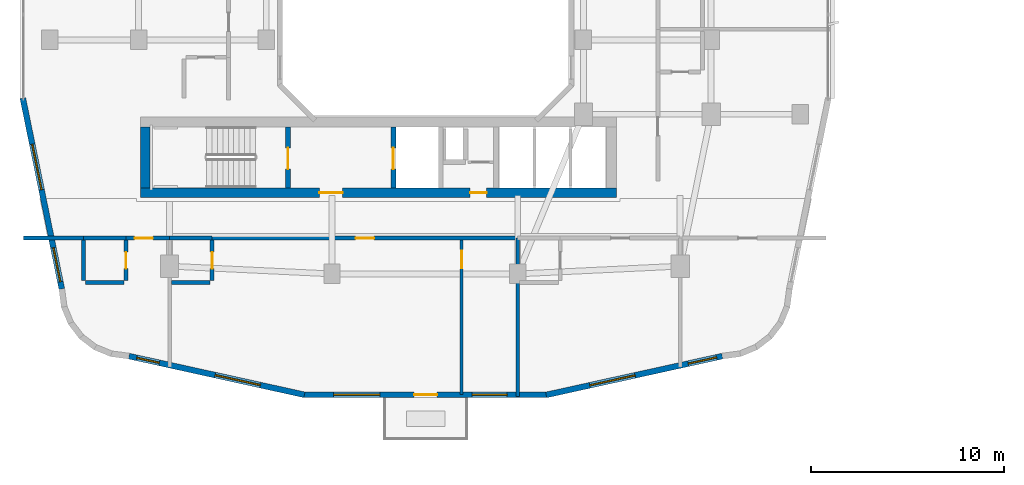
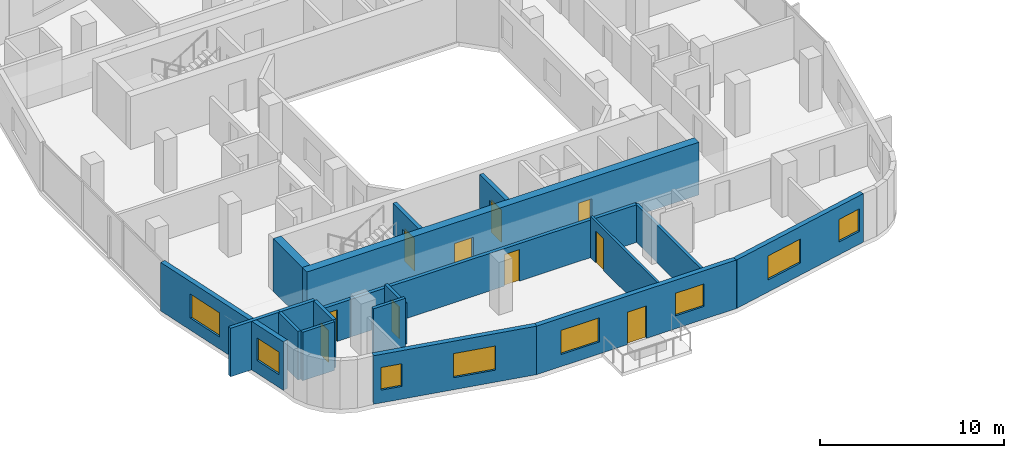
# One storey, part 9 of 24: 20 walls, 10 doors, 8 windows, 18 openings.
"""IFC4 building model written with IfcOpenShell, lengths in metres."""

from ifc_helpers import new_model, si_unit, derived_unit, direction, frame, frame_2d, origin, place, context, subcontext, project, spatial, rectangle, extrude, material, layer, layer_set, type_object, element, fill, save


model = new_model("IFC4")

# Units and contexts
model_context = context("Model", 3, precision=1e-05, world=origin(), true_north=direction((0.0, 1.0)))
body_context = subcontext(model_context, "Body", "Model", "MODEL_VIEW")
ifc_project = project(units=[si_unit("LENGTHUNIT", "METRE"), si_unit("AREAUNIT", "SQUARE_METRE"), si_unit("VOLUMEUNIT", "CUBIC_METRE"), si_unit("PLANEANGLEUNIT", "RADIAN"), si_unit("MASSUNIT", "GRAM", prefix="KILO"), derived_unit("THERMALTRANSMITTANCEUNIT", [(si_unit("POWERUNIT", "WATT"), 1), (si_unit("LENGTHUNIT", "METRE"), -2), (si_unit("THERMODYNAMICTEMPERATUREUNIT", "KELVIN"), -1)])], contexts=[model_context])

# Site, building, storey
site_placement = place(None, origin())
site = spatial("IfcSite", under=ifc_project, at=site_placement, CompositionType="ELEMENT")
building_placement = place(site_placement, origin())
building = spatial("IfcBuilding", under=site, at=building_placement, Name="Kivonza Crest Hotel", CompositionType="ELEMENT")
storey_placement = place(building_placement, frame((0.0, 0.0, 80.0)))
storey = spatial("IfcBuildingStorey", under=building, at=storey_placement, Name="L21", CompositionType="ELEMENT", Elevation=80.0)

# Walls
ifc_material_1 = material(Name="High-density acoustic masonry inter-tenancy wall", Category="masonry")
ifc_layer_1 = layer(ifc_material_1, 0.179931640625)
ifc_layer_set_1 = layer_set([ifc_layer_1], Name="High-density acoustic masonry inter-tenancy wall")
wall_type_1 = type_object("IfcWallType", Name="WL-ACOU-180", PredefinedType="SOLIDWALL", material=ifc_layer_set_1)
wall_1_placement = place(storey_placement, frame((25.800048828125, 3.06005859375, 0.0), z_axis=(0.0, 0.0, 1.0), x_axis=(0.0, 1.0, 0.0)))
element("IfcWall", 1, at=wall_1_placement, inside=storey, type_object=wall_type_1, Name="L21 interior partition WA-L21-T1S-DIV2", PredefinedType="SOLIDWALL", context=body_context, shape_type="SweptSolid", body=[
    extrude(rectangle(XDim=8.18994140625, YDim=0.179931640625, at=frame_2d((4.094970703125, 0.0))), origin(), (0.0, 0.0, 1.0), 2.4951171875),
])
ifc_material_2 = material(Name="Autoclaved aerated concrete blockwork", Category="masonry")
ifc_layer_2 = layer(ifc_material_2, 0.219970703125)
ifc_layer_set_2 = layer_set([ifc_layer_2], Name="Autoclaved aerated concrete blockwork")
wall_type_2 = type_object("IfcWallType", Name="WL-ACOU-220", PredefinedType="SOLIDWALL", material=ifc_layer_set_2)
wall_2_placement = place(storey_placement, frame((0.239990234375, 11.25, 0.0), z_axis=(0.0, 0.0, 1.0), x_axis=(1.0, 0.0, 0.0)))
element("IfcWall", 2, at=wall_2_placement, inside=storey, type_object=wall_type_2, Name="L21 interior partition WA-L21-S03-XCORR", PredefinedType="SOLIDWALL", context=body_context, shape_type="SweptSolid", body=[
    extrude(rectangle(XDim=3.110107421875, YDim=0.219970703125, at=frame_2d((1.55517578125, 0.0))), origin(), (0.0, 0.0, 1.0), 3.219970703125),
])
wall_3_placement = place(storey_placement, frame((3.35009765625, 11.25, 0.0), z_axis=(0.0, 0.0, 1.0), x_axis=(1.0, 0.0, 0.0)))
element("IfcWall", 3, at=wall_3_placement, inside=storey, type_object=wall_type_2, Name="L21 interior partition WA-L21-S03-BCORR", PredefinedType="SOLIDWALL", context=body_context, shape_type="SweptSolid", body=[
    extrude(rectangle(XDim=2.199951171875, YDim=0.219970703125, at=frame_2d((1.10009765625, 0.0))), origin(), (0.0, 0.0, 1.0), 3.219970703125),
])

# Wall, opening, door
wall_4_placement = place(storey_placement, frame((5.550048828125, 11.25, 0.0), z_axis=(0.0, 0.0, 1.0), x_axis=(1.0, 0.0, 0.0)))
wall_4 = element("IfcWall", 4, at=wall_4_placement, inside=storey, type_object=wall_type_2, Name="L21 interior partition WA-L21-S03-MCORR", PredefinedType="SOLIDWALL", context=body_context, shape_type="SweptSolid", body=[
    extrude(rectangle(XDim=2.25, YDim=0.219970703125, at=frame_2d((1.125, 0.0))), origin(), (0.0, 0.0, 1.0), 2.4951171875),
])
opening_1_placement = place(wall_4_placement, frame((0.43994140625, 0.0, 0.0)))
opening_1 = element("IfcOpeningElement", 5, at=opening_1_placement, cuts=wall_4, Name="Opening DU-60", PredefinedType="OPENING", context=body_context, shape_type="SweptSolid", body=[
    extrude(rectangle(XDim=0.949951171875, YDim=2.10009765625, at=frame_2d((0.47509765625, 1.050048828125))), frame((0.0, 0.1201171875, 0.0), z_axis=(0.0, -1.0, 0.0), x_axis=(1.0, 0.0, 0.0)), (0.0, 0.0, 1.0), 0.239990234375),
])
ifc_material_3 = material(Name="Hardwood timber oak", Category="wood")
door_type_1 = type_object("IfcDoorType", Name="DR-UNIT-950", OperationType="NOTDEFINED", PredefinedType="DOOR", material=ifc_material_3)
door_1_placement = place(opening_1_placement, frame((0.949951171875, 0.0, 0.0), z_axis=(0.0, 0.0, 1.0), x_axis=(-1.0, 0.0, 0.0)))
door_1 = element("IfcDoor", 6, at=door_1_placement, inside=storey, type_object=door_type_1, Name="L21 S03 guest unit entrance fire door", OperationType="SINGLE_SWING_LEFT", OverallHeight=2.10009765625, OverallWidth=0.949951171875, PredefinedType="DOOR", context=body_context, shape_type="SweptSolid", body=[
    extrude(rectangle(XDim=0.949951171875, YDim=2.10009765625, at=frame_2d((0.47509765625, 1.050048828125))), frame((0.0, 0.02490234375, 0.0), z_axis=(0.0, -1.0, 0.0), x_axis=(1.0, 0.0, 0.0)), (0.0, 0.0, 1.0), 0.050048828125),
])
fill(opening_1, door_1)

# Wall
wall_5_placement = place(storey_placement, frame((7.800048828125, 11.25, 0.0), z_axis=(0.0, 0.0, 1.0), x_axis=(1.0, 0.0, 0.0)))
element("IfcWall", 7, at=wall_5_placement, inside=storey, type_object=wall_type_2, Name="L21 interior partition WA-L21-S04-BCORR", PredefinedType="SOLIDWALL", context=body_context, shape_type="SweptSolid", body=[
    extrude(rectangle(XDim=2.199951171875, YDim=0.219970703125, at=frame_2d((1.10009765625, 0.0))), origin(), (0.0, 0.0, 1.0), 2.4951171875),
])

# Wall, opening, door
wall_6_placement = place(storey_placement, frame((10.0, 11.25, 0.0), z_axis=(0.0, 0.0, 1.0), x_axis=(1.0, 0.0, 0.0)))
wall_6 = element("IfcWall", 8, at=wall_6_placement, inside=storey, type_object=wall_type_2, Name="L21 interior partition WA-L21-S04-MCORR", PredefinedType="SOLIDWALL", context=body_context, shape_type="SweptSolid", body=[
    extrude(rectangle(XDim=15.800048828125, YDim=0.219970703125, at=frame_2d((7.89990234375, 0.0))), origin(), (0.0, 0.0, 1.0), 2.4951171875),
])
opening_2_placement = place(wall_6_placement, frame((7.425048828125, 0.0, 0.0)))
opening_2 = element("IfcOpeningElement", 9, at=opening_2_placement, cuts=wall_6, Name="Opening DU-60", PredefinedType="OPENING", context=body_context, shape_type="SweptSolid", body=[
    extrude(rectangle(XDim=0.949951171875, YDim=2.10009765625, at=frame_2d((0.47509765625, 1.050048828125))), frame((0.0, 0.1201171875, 0.0), z_axis=(0.0, -1.0, 0.0), x_axis=(1.0, 0.0, 0.0)), (0.0, 0.0, 1.0), 0.239990234375),
])
door_2_placement = place(opening_2_placement, frame((0.949951171875, 0.0, 0.0), z_axis=(0.0, 0.0, 1.0), x_axis=(-1.0, 0.0, 0.0)))
door_2 = element("IfcDoor", 10, at=door_2_placement, inside=storey, type_object=door_type_1, Name="L21 S04 guest unit entrance fire door", OperationType="SINGLE_SWING_RIGHT", OverallHeight=2.10009765625, OverallWidth=0.949951171875, PredefinedType="DOOR", context=body_context, shape_type="SweptSolid", body=[
    extrude(rectangle(XDim=0.949951171875, YDim=2.10009765625, at=frame_2d((0.47509765625, 1.050048828125))), frame((0.0, 0.02490234375, 0.0), z_axis=(0.0, -1.0, 0.0), x_axis=(1.0, 0.0, 0.0)), (0.0, 0.0, 1.0), 0.050048828125),
])
fill(opening_2, door_2)

# Wall, openings, doors
ifc_material_4 = material(Name="Concrete C60/75", Category="concrete")
ifc_layer_3 = layer(ifc_material_4, 0.5)
ifc_layer_set_3 = layer_set([ifc_layer_3], Name="Concrete C60/75")
wall_type_3 = type_object("IfcWallType", Name="WL-CORE-500", PredefinedType="SHEAR", material=ifc_layer_set_3)
wall_7_placement = place(storey_placement, frame((6.300048828125, 13.590087890625, 0.0), z_axis=(0.0, 0.0, 1.0), x_axis=(1.0, 0.0, 0.0)))
wall_7 = element("IfcWall", 11, at=wall_7_placement, inside=storey, type_object=wall_type_3, Name="Core wall T1-S South L21", PredefinedType="SHEAR", context=body_context, shape_type="SweptSolid", body=[
    extrude(rectangle(XDim=24.599853515625, YDim=0.5, at=frame_2d((12.2998046875, 0.0))), origin(), (0.0, 0.0, 1.0), 3.5),
])
opening_3_placement = place(wall_7_placement, frame((9.25, 0.0, 0.0)))
opening_3 = element("IfcOpeningElement", 12, at=opening_3_placement, cuts=wall_7, Name="Opening DF-60", PredefinedType="OPENING", context=body_context, shape_type="SweptSolid", body=[
    extrude(rectangle(XDim=1.199951171875, YDim=2.14990234375, at=frame_2d((0.60009765625, 1.074951171875))), frame((0.0, 0.260009765625, 0.0), z_axis=(0.0, -1.0, 0.0), x_axis=(1.0, 0.0, 0.0)), (0.0, 0.0, 1.0), 0.52001953125),
])
opening_4_placement = place(wall_7_placement, frame((17.0400390625, 0.0, 0.0)))
opening_4 = element("IfcOpeningElement", 13, at=opening_4_placement, cuts=wall_7, Name="Opening DF-60R", PredefinedType="OPENING", context=body_context, shape_type="SweptSolid", body=[
    extrude(rectangle(XDim=0.85009765625, YDim=2.10009765625, at=frame_2d((0.425048828125, 1.050048828125))), frame((0.0, 0.260009765625, 0.0), z_axis=(0.0, -1.0, 0.0), x_axis=(1.0, 0.0, 0.0)), (0.0, 0.0, 1.0), 0.52001953125),
])
door_type_2 = type_object("IfcDoorType", Name="DR-FD60-1200", OperationType="NOTDEFINED", PredefinedType="DOOR", material=ifc_material_3)
door_3_placement = place(opening_3_placement, frame((1.199951171875, 0.0, 0.0), z_axis=(0.0, 0.0, 1.0), x_axis=(-1.0, 0.0, 0.0)))
door_3 = element("IfcDoor", 14, at=door_3_placement, inside=storey, type_object=door_type_2, Name="L21 T1-S firefighting lobby fire door", OperationType="SINGLE_SWING_LEFT", OverallHeight=2.14990234375, OverallWidth=1.199951171875, PredefinedType="DOOR", context=body_context, shape_type="SweptSolid", body=[
    extrude(rectangle(XDim=1.199951171875, YDim=2.14990234375, at=frame_2d((0.60009765625, 1.074951171875))), frame((0.0, 0.02490234375, 0.0), z_axis=(0.0, -1.0, 0.0), x_axis=(1.0, 0.0, 0.0)), (0.0, 0.0, 1.0), 0.050048828125),
])
fill(opening_3, door_3)
door_type_3 = type_object("IfcDoorType", Name="DR-FD60-850", OperationType="NOTDEFINED", PredefinedType="DOOR", material=ifc_material_3)
door_4_placement = place(opening_4_placement, frame((0.85009765625, 0.0, 0.0), z_axis=(0.0, 0.0, 1.0), x_axis=(-1.0, 0.0, 0.0)))
door_4 = element("IfcDoor", 15, at=door_4_placement, inside=storey, type_object=door_type_3, Name="L21 T1-S core room door", OperationType="SINGLE_SWING_RIGHT", OverallHeight=2.10009765625, OverallWidth=0.85009765625, PredefinedType="DOOR", context=body_context, shape_type="SweptSolid", body=[
    extrude(rectangle(XDim=0.85009765625, YDim=2.10009765625, at=frame_2d((0.425048828125, 1.050048828125))), frame((0.0, 0.02490234375, 0.0), z_axis=(0.0, -1.0, 0.0), x_axis=(1.0, 0.0, 0.0)), (0.0, 0.0, 1.0), 0.050048828125),
])
fill(opening_4, door_4)

# Wall
wall_8_placement = place(storey_placement, frame((6.550048828125, 13.840087890625, 0.0), z_axis=(0.0, 0.0, 1.0), x_axis=(0.0, 1.0, 0.0)))
element("IfcWall", 16, at=wall_8_placement, inside=storey, type_object=wall_type_3, Name="Core wall T1-S West L21", PredefinedType="SHEAR", context=body_context, shape_type="SweptSolid", body=[
    extrude(rectangle(XDim=3.159912109375, YDim=0.5, at=frame_2d((1.580078125, 0.0))), origin(), (0.0, 0.0, 1.0), 3.5),
])

# Wall, openings, windows
ifc_material_5 = material(Name="Precast concrete C40/50", Category="concrete")
ifc_layer_4 = layer(ifc_material_5, 0.300048828125)
ifc_layer_set_4 = layer_set([ifc_layer_4], Name="Precast concrete C40/50")
wall_type_4 = type_object("IfcWallType", Name="WL-EXT-300", PredefinedType="STANDARD", material=ifc_layer_set_4)
wall_9_placement = place(storey_placement, frame((5.7041015625, 5.14794921875, 0.0), z_axis=(0.0, 0.0, 1.0), x_axis=(0.976539545934, -0.215338141596, 0.0)))
wall_9 = element("IfcWall", 17, at=wall_9_placement, inside=storey, type_object=wall_type_4, Name="L21 T1 exterior insulated wall 7", PredefinedType="STANDARD", context=body_context, shape_type="SweptSolid", body=[
    extrude(rectangle(XDim=9.28759765625, YDim=0.300048828125, at=frame_2d((4.643798828125, 0.0))), origin(), (0.0, 0.0, 1.0), 3.219970703125),
])
opening_5_placement = place(wall_9_placement, frame((0.407958984375, 0.0, 0.85009765625)))
opening_5 = element("IfcOpeningElement", 18, at=opening_5_placement, cuts=wall_9, Name="Opening WN-01", PredefinedType="OPENING", context=body_context, shape_type="SweptSolid", body=[
    extrude(rectangle(XDim=1.199951171875, YDim=1.5, at=frame_2d((0.60009765625, 0.75))), frame((0.0, 0.16015625, 0.0), z_axis=(0.0, -1.0, 0.0), x_axis=(1.0, 0.0, 0.0)), (0.0, 0.0, 1.0), 0.320068359375),
])
opening_6_placement = place(wall_9_placement, frame((4.556884765625, 0.0, 0.800048828125)))
opening_6 = element("IfcOpeningElement", 19, at=opening_6_placement, cuts=wall_9, Name="Opening WN-05", PredefinedType="OPENING", context=body_context, shape_type="SweptSolid", body=[
    extrude(rectangle(XDim=2.39990234375, YDim=1.60009765625, at=frame_2d((1.199951171875, 0.800048828125))), frame((0.0, 0.16015625, 0.0), z_axis=(0.0, -1.0, 0.0), x_axis=(1.0, 0.0, 0.0)), (0.0, 0.0, 1.0), 0.320068359375),
])
ifc_material_6 = material(Name="Thermally broken bronze aluminium and low-E double glazing", Category="aluminium")
window_type_1 = type_object("IfcWindowType", Name="WN-120x150", PartitioningType="SINGLE_PANEL", PredefinedType="WINDOW", material=ifc_material_6)
window_1_placement = place(opening_5_placement, origin())
window_1 = element("IfcWindow", 20, at=window_1_placement, inside=storey, type_object=window_type_1, Name="L21 T1 facade window 7 bay 1", OverallHeight=1.5, OverallWidth=1.199951171875, PartitioningType="SINGLE_PANEL", PredefinedType="WINDOW", context=body_context, shape_type="SweptSolid", body=[
    extrude(rectangle(XDim=1.199951171875, YDim=1.5, at=frame_2d((0.60009765625, 0.75))), frame((0.0, 0.030029296875, 0.0), z_axis=(0.0, -1.0, 0.0), x_axis=(1.0, 0.0, 0.0)), (0.0, 0.0, 1.0), 0.06005859375),
])
fill(opening_5, window_1)
window_type_2 = type_object("IfcWindowType", Name="WN-240x160", PartitioningType="TRIPLE_PANEL_VERTICAL", PredefinedType="WINDOW", material=ifc_material_6)
window_2_placement = place(opening_6_placement, origin())
window_2 = element("IfcWindow", 21, at=window_2_placement, inside=storey, type_object=window_type_2, Name="L21 T1 facade window 7 bay 2", OverallHeight=1.60009765625, OverallWidth=2.39990234375, PartitioningType="SINGLE_PANEL", PredefinedType="WINDOW", context=body_context, shape_type="SweptSolid", body=[
    extrude(rectangle(XDim=2.39990234375, YDim=1.60009765625, at=frame_2d((1.199951171875, 0.800048828125))), frame((0.0, 0.030029296875, 0.0), z_axis=(0.0, -1.0, 0.0), x_axis=(1.0, 0.0, 0.0)), (0.0, 0.0, 1.0), 0.06005859375),
])
fill(opening_6, window_2)

# Wall, openings, door, windows
wall_10_placement = place(storey_placement, frame((14.72705078125, 3.14990234375, 0.0), z_axis=(0.0, 0.0, 1.0), x_axis=(1.0, 0.0, 0.0)))
wall_10 = element("IfcWall", 22, at=wall_10_placement, inside=storey, type_object=wall_type_4, Name="L21 T1 exterior insulated wall 8", PredefinedType="STANDARD", context=body_context, shape_type="SweptSolid", body=[
    extrude(rectangle(XDim=12.591064453125, YDim=0.300048828125, at=frame_2d((6.29541015625, 0.0))), origin(), (0.0, 0.0, 1.0), 3.219970703125),
])
opening_7_placement = place(wall_10_placement, frame((5.712890625, 0.0, 0.0)))
opening_7 = element("IfcOpeningElement", 23, at=opening_7_placement, cuts=wall_10, Name="Opening DT-120", PredefinedType="OPENING", context=body_context, shape_type="SweptSolid", body=[
    extrude(rectangle(XDim=1.199951171875, YDim=2.14990234375, at=frame_2d((0.60009765625, 1.074951171875))), frame((0.0, 0.16015625, 0.0), z_axis=(0.0, -1.0, 0.0), x_axis=(1.0, 0.0, 0.0)), (0.0, 0.0, 1.0), 0.320068359375),
])
opening_8_placement = place(wall_10_placement, frame((1.552001953125, 0.0, 0.800048828125)))
opening_8 = element("IfcOpeningElement", 24, at=opening_8_placement, cuts=wall_10, Name="Opening WN-05", PredefinedType="OPENING", context=body_context, shape_type="SweptSolid", body=[
    extrude(rectangle(XDim=2.39990234375, YDim=1.60009765625, at=frame_2d((1.199951171875, 0.800048828125))), frame((0.0, 0.16015625, 0.0), z_axis=(0.0, -1.0, 0.0), x_axis=(1.0, 0.0, 0.0)), (0.0, 0.0, 1.0), 0.320068359375),
])
opening_9_placement = place(wall_10_placement, frame((8.722900390625, 0.0, 0.85009765625)))
opening_9 = element("IfcOpeningElement", 25, at=opening_9_placement, cuts=wall_10, Name="Opening WN-03", PredefinedType="OPENING", context=body_context, shape_type="SweptSolid", body=[
    extrude(rectangle(XDim=1.800048828125, YDim=1.5, at=frame_2d((0.89990234375, 0.75))), frame((0.0, 0.16015625, 0.0), z_axis=(0.0, -1.0, 0.0), x_axis=(1.0, 0.0, 0.0)), (0.0, 0.0, 1.0), 0.320068359375),
])
ifc_material_7 = material(Name="Anodised bronze aluminium and laminated safety glass", Category="aluminium")
door_type_4 = type_object("IfcDoorType", Name="DR-TERR-1200", OperationType="NOTDEFINED", PredefinedType="DOOR", material=ifc_material_7)
door_5_placement = place(opening_7_placement, frame((1.199951171875, 0.0, 0.0), z_axis=(0.0, 0.0, 1.0), x_axis=(-1.0, 0.0, 0.0)))
door_5 = element("IfcDoor", 26, at=door_5_placement, inside=storey, type_object=door_type_4, Name="T1 L21 SW sky-garden bridge access door", OperationType="SINGLE_SWING_LEFT", OverallHeight=2.14990234375, OverallWidth=1.199951171875, PredefinedType="DOOR", context=body_context, shape_type="SweptSolid", body=[
    extrude(rectangle(XDim=1.199951171875, YDim=2.14990234375, at=frame_2d((0.60009765625, 1.074951171875))), frame((0.0, 0.02490234375, 0.0), z_axis=(0.0, -1.0, 0.0), x_axis=(1.0, 0.0, 0.0)), (0.0, 0.0, 1.0), 0.050048828125),
])
fill(opening_7, door_5)
window_type_3 = type_object("IfcWindowType", Name="WN-180x150", PartitioningType="DOUBLE_PANEL_VERTICAL", PredefinedType="WINDOW", material=ifc_material_6)
window_3_placement = place(opening_9_placement, origin())
window_3 = element("IfcWindow", 27, at=window_3_placement, inside=storey, type_object=window_type_3, Name="L21 T1 facade window 8 bay 2", OverallHeight=1.5, OverallWidth=1.800048828125, PartitioningType="SINGLE_PANEL", PredefinedType="WINDOW", context=body_context, shape_type="SweptSolid", body=[
    extrude(rectangle(XDim=1.800048828125, YDim=1.5, at=frame_2d((0.89990234375, 0.75))), frame((0.0, 0.030029296875, 0.0), z_axis=(0.0, -1.0, 0.0), x_axis=(1.0, 0.0, 0.0)), (0.0, 0.0, 1.0), 0.06005859375),
])
fill(opening_9, window_3)
window_4_placement = place(opening_8_placement, origin())
window_4 = element("IfcWindow", 28, at=window_4_placement, inside=storey, type_object=window_type_2, Name="L21 T1 facade window 8 bay 1", OverallHeight=1.60009765625, OverallWidth=2.39990234375, PartitioningType="SINGLE_PANEL", PredefinedType="WINDOW", context=body_context, shape_type="SweptSolid", body=[
    extrude(rectangle(XDim=2.39990234375, YDim=1.60009765625, at=frame_2d((1.199951171875, 0.800048828125))), frame((0.0, 0.030029296875, 0.0), z_axis=(0.0, -1.0, 0.0), x_axis=(1.0, 0.0, 0.0)), (0.0, 0.0, 1.0), 0.06005859375),
])
fill(opening_8, window_4)

# Wall, openings, windows
wall_11_placement = place(storey_placement, frame((27.27197265625, 3.14111328125, 0.0), z_axis=(0.0, 0.0, 1.0), x_axis=(0.976555357219, 0.21526642629, 0.0)))
wall_11 = element("IfcWall", 29, at=wall_11_placement, inside=storey, type_object=wall_type_4, Name="L21 T1 exterior insulated wall 9", PredefinedType="STANDARD", context=body_context, shape_type="SweptSolid", body=[
    extrude(rectangle(XDim=9.322509765625, YDim=0.300048828125, at=frame_2d((4.6611328125, 0.0))), origin(), (0.0, 0.0, 1.0), 3.219970703125),
])
opening_10_placement = place(wall_11_placement, frame((2.306884765625, 0.0, 0.800048828125)))
opening_10 = element("IfcOpeningElement", 30, at=opening_10_placement, cuts=wall_11, Name="Opening WN-05", PredefinedType="OPENING", context=body_context, shape_type="SweptSolid", body=[
    extrude(rectangle(XDim=2.39990234375, YDim=1.60009765625, at=frame_2d((1.199951171875, 0.800048828125))), frame((0.0, 0.16015625, 0.0), z_axis=(0.0, -1.0, 0.0), x_axis=(1.0, 0.0, 0.0)), (0.0, 0.0, 1.0), 0.320068359375),
])
opening_11_placement = place(wall_11_placement, frame((7.52392578125, 0.0, 0.85009765625)))
opening_11 = element("IfcOpeningElement", 31, at=opening_11_placement, cuts=wall_11, Name="Opening WN-02", PredefinedType="OPENING", context=body_context, shape_type="SweptSolid", body=[
    extrude(rectangle(XDim=1.5, YDim=1.5, at=frame_2d((0.75, 0.75))), frame((0.0, 0.16015625, 0.0), z_axis=(0.0, -1.0, 0.0), x_axis=(1.0, 0.0, 0.0)), (0.0, 0.0, 1.0), 0.320068359375),
])
window_type_4 = type_object("IfcWindowType", Name="WN-150x150", PartitioningType="DOUBLE_PANEL_VERTICAL", PredefinedType="WINDOW", material=ifc_material_6)
window_5_placement = place(opening_11_placement, origin())
window_5 = element("IfcWindow", 32, at=window_5_placement, inside=storey, type_object=window_type_4, Name="L21 T1 facade window 9 bay 2", OverallHeight=1.5, OverallWidth=1.5, PartitioningType="SINGLE_PANEL", PredefinedType="WINDOW", context=body_context, shape_type="SweptSolid", body=[
    extrude(rectangle(XDim=1.5, YDim=1.5, at=frame_2d((0.75, 0.75))), frame((0.0, 0.030029296875, 0.0), z_axis=(0.0, -1.0, 0.0), x_axis=(1.0, 0.0, 0.0)), (0.0, 0.0, 1.0), 0.06005859375),
])
fill(opening_11, window_5)
window_6_placement = place(opening_10_placement, origin())
window_6 = element("IfcWindow", 33, at=window_6_placement, inside=storey, type_object=window_type_2, Name="L21 T1 facade window 9 bay 1", OverallHeight=1.60009765625, OverallWidth=2.39990234375, PartitioningType="SINGLE_PANEL", PredefinedType="WINDOW", context=body_context, shape_type="SweptSolid", body=[
    extrude(rectangle(XDim=2.39990234375, YDim=1.60009765625, at=frame_2d((1.199951171875, 0.800048828125))), frame((0.0, 0.030029296875, 0.0), z_axis=(0.0, -1.0, 0.0), x_axis=(1.0, 0.0, 0.0)), (0.0, 0.0, 1.0), 0.06005859375),
])
fill(opening_10, window_6)

wall_12_placement = place(storey_placement, frame((0.216064453125, 18.48388671875, 0.0), z_axis=(0.0, 0.0, 1.0), x_axis=(0.199990901713, -0.979797754249, 0.0)))
wall_12 = element("IfcWall", 34, at=wall_12_placement, inside=storey, type_object=wall_type_4, Name="L21 T1 exterior insulated wall 36", PredefinedType="STANDARD", context=body_context, shape_type="SweptSolid", body=[
    extrude(rectangle(XDim=10.065185546875, YDim=0.300048828125, at=frame_2d((5.03271484375, 0.0))), origin(), (0.0, 0.0, 1.0), 3.219970703125),
])
opening_12_placement = place(wall_12_placement, frame((2.428955078125, 0.0, 0.800048828125)))
opening_12 = element("IfcOpeningElement", 35, at=opening_12_placement, cuts=wall_12, Name="Opening WN-05", PredefinedType="OPENING", context=body_context, shape_type="SweptSolid", body=[
    extrude(rectangle(XDim=2.39990234375, YDim=1.60009765625, at=frame_2d((1.199951171875, 0.800048828125))), frame((0.0, 0.16015625, 0.0), z_axis=(0.0, -1.0, 0.0), x_axis=(1.0, 0.0, 0.0)), (0.0, 0.0, 1.0), 0.320068359375),
])
opening_13_placement = place(wall_12_placement, frame((7.886962890625, 0.0, 0.85009765625)))
opening_13 = element("IfcOpeningElement", 36, at=opening_13_placement, cuts=wall_12, Name="Opening WN-03", PredefinedType="OPENING", context=body_context, shape_type="SweptSolid", body=[
    extrude(rectangle(XDim=1.800048828125, YDim=1.5, at=frame_2d((0.89990234375, 0.75))), frame((0.0, 0.16015625, 0.0), z_axis=(0.0, -1.0, 0.0), x_axis=(1.0, 0.0, 0.0)), (0.0, 0.0, 1.0), 0.320068359375),
])
window_7_placement = place(opening_13_placement, origin())
window_7 = element("IfcWindow", 37, at=window_7_placement, inside=storey, type_object=window_type_3, Name="L21 T1 facade window 36 bay 2", OverallHeight=1.5, OverallWidth=1.800048828125, PartitioningType="SINGLE_PANEL", PredefinedType="WINDOW", context=body_context, shape_type="SweptSolid", body=[
    extrude(rectangle(XDim=1.800048828125, YDim=1.5, at=frame_2d((0.89990234375, 0.75))), frame((0.0, 0.030029296875, 0.0), z_axis=(0.0, -1.0, 0.0), x_axis=(1.0, 0.0, 0.0)), (0.0, 0.0, 1.0), 0.06005859375),
])
fill(opening_13, window_7)
window_8_placement = place(opening_12_placement, origin())
window_8 = element("IfcWindow", 38, at=window_8_placement, inside=storey, type_object=window_type_2, Name="L21 T1 facade window 36 bay 1", OverallHeight=1.60009765625, OverallWidth=2.39990234375, PartitioningType="SINGLE_PANEL", PredefinedType="WINDOW", context=body_context, shape_type="SweptSolid", body=[
    extrude(rectangle(XDim=2.39990234375, YDim=1.60009765625, at=frame_2d((1.199951171875, 0.800048828125))), frame((0.0, 0.030029296875, 0.0), z_axis=(0.0, -1.0, 0.0), x_axis=(1.0, 0.0, 0.0)), (0.0, 0.0, 1.0), 0.06005859375),
])
fill(opening_12, window_8)

# Wall, opening, door
ifc_material_8 = material(Name="Twin-stud acoustic gypsum board partition", Category="gypsum")
ifc_layer_5 = layer(ifc_material_8, 0.14990234375)
ifc_layer_set_5 = layer_set([ifc_layer_5], Name="Twin-stud acoustic gypsum board partition")
wall_type_5 = type_object("IfcWallType", Name="WL-PART-150", PredefinedType="PARTITIONING", material=ifc_layer_set_5)
wall_13_placement = place(storey_placement, frame((22.89990234375, 3.159912109375, 0.0), z_axis=(0.0, 0.0, 1.0), x_axis=(0.0, 1.0, 0.0)))
wall_13 = element("IfcWall", 39, at=wall_13_placement, inside=storey, type_object=wall_type_5, Name="L21 interior partition WP-L21-S04-SPSP", PredefinedType="PARTITIONING", context=body_context, shape_type="SweptSolid", body=[
    extrude(rectangle(XDim=7.989990234375, YDim=0.14990234375, at=frame_2d((3.9951171875, 0.0))), origin(), (0.0, 0.0, 1.0), 2.7451171875),
])
opening_14_placement = place(wall_13_placement, frame((6.5400390625, 0.0, 0.0)))
opening_14 = element("IfcOpeningElement", 40, at=opening_14_placement, cuts=wall_13, Name="Opening DI-90", PredefinedType="OPENING", context=body_context, shape_type="SweptSolid", body=[
    extrude(rectangle(XDim=0.89990234375, YDim=2.10009765625, at=frame_2d((0.449951171875, 1.050048828125))), frame((0.0, 0.0849609375, 0.0), z_axis=(0.0, -1.0, 0.0), x_axis=(1.0, 0.0, 0.0)), (0.0, 0.0, 1.0), 0.169921875),
])
door_type_5 = type_object("IfcDoorType", Name="DR-INT-900", OperationType="NOTDEFINED", PredefinedType="DOOR", material=ifc_material_3)
door_6_placement = place(opening_14_placement, origin())
door_6 = element("IfcDoor", 41, at=door_6_placement, inside=storey, type_object=door_type_5, Name="L21 S04 suite bedroom door", OperationType="SINGLE_SWING_LEFT", OverallHeight=2.10009765625, OverallWidth=0.89990234375, PredefinedType="DOOR", context=body_context, shape_type="SweptSolid", body=[
    extrude(rectangle(XDim=0.89990234375, YDim=2.10009765625, at=frame_2d((0.449951171875, 1.050048828125))), frame((0.0, 0.02490234375, 0.0), z_axis=(0.0, -1.0, 0.0), x_axis=(1.0, 0.0, 0.0)), (0.0, 0.0, 1.0), 0.050048828125),
])
fill(opening_14, door_6)

ifc_material_9 = material(Name="Moisture-resistant plumbing chase partition wall", Category="gypsum")
ifc_layer_6 = layer(ifc_material_9, 0.199951171875)
ifc_layer_set_6 = layer_set([ifc_layer_6], Name="Moisture-resistant plumbing chase partition wall")
wall_type_6 = type_object("IfcWallType", Name="WL-PLUMB-200", PredefinedType="PLUMBINGWALL", material=ifc_layer_set_6)
wall_14_placement = place(storey_placement, frame((5.550048828125, 9.050048828125, 0.0), z_axis=(0.0, 0.0, 1.0), x_axis=(0.0, 1.0, 0.0)))
wall_14 = element("IfcWall", 42, at=wall_14_placement, inside=storey, type_object=wall_type_6, Name="L21 interior partition WW-L21-S03-BV", PredefinedType="PLUMBINGWALL", context=body_context, shape_type="SweptSolid", body=[
    extrude(rectangle(XDim=2.099853515625, YDim=0.199951171875, at=frame_2d((1.0498046875, 0.0))), origin(), (0.0, 0.0, 1.0), 3.219970703125),
])
opening_15_placement = place(wall_14_placement, frame((0.625, 0.0, 0.0)))
opening_15 = element("IfcOpeningElement", 43, at=opening_15_placement, cuts=wall_14, Name="Opening DI-85", PredefinedType="OPENING", context=body_context, shape_type="SweptSolid", body=[
    extrude(rectangle(XDim=0.85009765625, YDim=2.10009765625, at=frame_2d((0.425048828125, 1.050048828125))), frame((0.0, 0.10986328125, 0.0), z_axis=(0.0, -1.0, 0.0), x_axis=(1.0, 0.0, 0.0)), (0.0, 0.0, 1.0), 0.219970703125),
])
door_type_6 = type_object("IfcDoorType", Name="DR-INT-850", OperationType="NOTDEFINED", PredefinedType="DOOR", material=ifc_material_3)
door_7_placement = place(opening_15_placement, frame((0.85009765625, 0.0, 0.0), z_axis=(0.0, 0.0, 1.0), x_axis=(-1.0, 0.0, 0.0)))
door_7 = element("IfcDoor", 44, at=door_7_placement, inside=storey, type_object=door_type_6, Name="L21 S03 en-suite bathroom door", OperationType="SINGLE_SWING_RIGHT", OverallHeight=2.10009765625, OverallWidth=0.85009765625, PredefinedType="DOOR", context=body_context, shape_type="SweptSolid", body=[
    extrude(rectangle(XDim=0.85009765625, YDim=2.10009765625, at=frame_2d((0.425048828125, 1.050048828125))), frame((0.0, 0.02490234375, 0.0), z_axis=(0.0, -1.0, 0.0), x_axis=(1.0, 0.0, 0.0)), (0.0, 0.0, 1.0), 0.050048828125),
])
fill(opening_15, door_7)

# Walls
wall_15_placement = place(storey_placement, frame((3.449951171875, 8.949951171875, 0.0), z_axis=(0.0, 0.0, 1.0), x_axis=(1.0, 0.0, 0.0)))
element("IfcWall", 45, at=wall_15_placement, inside=storey, type_object=wall_type_6, Name="L21 interior partition WW-L21-S03-BH", PredefinedType="PLUMBINGWALL", context=body_context, shape_type="SweptSolid", body=[
    extrude(rectangle(XDim=2.0, YDim=0.199951171875, at=frame_2d((1.0, 0.0))), origin(), (0.0, 0.0, 1.0), 3.219970703125),
])
wall_16_placement = place(storey_placement, frame((3.35009765625, 9.050048828125, 0.0), z_axis=(0.0, 0.0, 1.0), x_axis=(0.0, 1.0, 0.0)))
element("IfcWall", 46, at=wall_16_placement, inside=storey, type_object=wall_type_6, Name="L21 interior partition WW-L21-S03-BVW", PredefinedType="PLUMBINGWALL", context=body_context, shape_type="SweptSolid", body=[
    extrude(rectangle(XDim=2.099853515625, YDim=0.199951171875, at=frame_2d((1.0498046875, 0.0))), origin(), (0.0, 0.0, 1.0), 3.219970703125),
])

# Wall, opening, door
wall_17_placement = place(storey_placement, frame((10.0, 9.050048828125, 0.0), z_axis=(0.0, 0.0, 1.0), x_axis=(0.0, 1.0, 0.0)))
wall_17 = element("IfcWall", 47, at=wall_17_placement, inside=storey, type_object=wall_type_6, Name="L21 interior partition WW-L21-S04-BV", PredefinedType="PLUMBINGWALL", context=body_context, shape_type="SweptSolid", body=[
    extrude(rectangle(XDim=2.099853515625, YDim=0.199951171875, at=frame_2d((1.0498046875, 0.0))), origin(), (0.0, 0.0, 1.0), 2.7451171875),
])
opening_16_placement = place(wall_17_placement, frame((0.625, 0.0, 0.0)))
opening_16 = element("IfcOpeningElement", 48, at=opening_16_placement, cuts=wall_17, Name="Opening DI-85", PredefinedType="OPENING", context=body_context, shape_type="SweptSolid", body=[
    extrude(rectangle(XDim=0.85009765625, YDim=2.10009765625, at=frame_2d((0.425048828125, 1.050048828125))), frame((0.0, 0.10986328125, 0.0), z_axis=(0.0, -1.0, 0.0), x_axis=(1.0, 0.0, 0.0)), (0.0, 0.0, 1.0), 0.219970703125),
])
door_8_placement = place(opening_16_placement, frame((0.85009765625, 0.0, 0.0), z_axis=(0.0, 0.0, 1.0), x_axis=(-1.0, 0.0, 0.0)))
door_8 = element("IfcDoor", 49, at=door_8_placement, inside=storey, type_object=door_type_6, Name="L21 S04 en-suite bathroom door", OperationType="SINGLE_SWING_LEFT", OverallHeight=2.10009765625, OverallWidth=0.85009765625, PredefinedType="DOOR", context=body_context, shape_type="SweptSolid", body=[
    extrude(rectangle(XDim=0.85009765625, YDim=2.10009765625, at=frame_2d((0.425048828125, 1.050048828125))), frame((0.0, 0.02490234375, 0.0), z_axis=(0.0, -1.0, 0.0), x_axis=(1.0, 0.0, 0.0)), (0.0, 0.0, 1.0), 0.050048828125),
])
fill(opening_16, door_8)

# Wall
wall_18_placement = place(storey_placement, frame((7.89990234375, 8.949951171875, 0.0), z_axis=(0.0, 0.0, 1.0), x_axis=(1.0, 0.0, 0.0)))
element("IfcWall", 50, at=wall_18_placement, inside=storey, type_object=wall_type_6, Name="L21 interior partition WW-L21-S04-BH", PredefinedType="PLUMBINGWALL", context=body_context, shape_type="SweptSolid", body=[
    extrude(rectangle(XDim=2.0, YDim=0.199951171875, at=frame_2d((1.0, 0.0))), origin(), (0.0, 0.0, 1.0), 3.219970703125),
])

# Wall, opening, door
ifc_material_10 = material(Name="Concrete C50/60", Category="concrete")
ifc_layer_7 = layer(ifc_material_10, 0.25)
ifc_layer_set_7 = layer_set([ifc_layer_7], Name="Concrete C50/60")
wall_type_7 = type_object("IfcWallType", Name="WL-SHAFT-250", PredefinedType="STANDARD", material=ifc_layer_set_7)
wall_19_placement = place(storey_placement, frame((13.925048828125, 13.840087890625, 0.0), z_axis=(0.0, 0.0, 1.0), x_axis=(0.0, 1.0, 0.0)))
wall_19 = element("IfcWall", 51, at=wall_19_placement, inside=storey, type_object=wall_type_7, Name="Core shaft wall T1-S STAIR L21", PredefinedType="STANDARD", context=body_context, shape_type="SweptSolid", body=[
    extrude(rectangle(XDim=3.159912109375, YDim=0.25, at=frame_2d((1.580078125, 0.0))), origin(), (0.0, 0.0, 1.0), 3.219970703125),
])
opening_17_placement = place(wall_19_placement, frame((0.97998046875, 0.0, 0.0)))
opening_17 = element("IfcOpeningElement", 52, at=opening_17_placement, cuts=wall_19, Name="Opening DF-120", PredefinedType="OPENING", context=body_context, shape_type="SweptSolid", body=[
    extrude(rectangle(XDim=1.10009765625, YDim=2.14990234375, at=frame_2d((0.550048828125, 1.074951171875))), frame((0.0, 0.135009765625, 0.0), z_axis=(0.0, -1.0, 0.0), x_axis=(1.0, 0.0, 0.0)), (0.0, 0.0, 1.0), 0.27001953125),
])
ifc_material_11 = material(Name="Galvanised steel", Category="steel")
door_type_7 = type_object("IfcDoorType", Name="DR-FD120-1100", OperationType="NOTDEFINED", PredefinedType="DOOR", material=ifc_material_11)
door_9_placement = place(opening_17_placement, frame((1.10009765625, 0.0, 0.0), z_axis=(0.0, 0.0, 1.0), x_axis=(-1.0, 0.0, 0.0)))
door_9 = element("IfcDoor", 53, at=door_9_placement, inside=storey, type_object=door_type_7, Name="L21 T1-S stair fire door", OperationType="SINGLE_SWING_RIGHT", OverallHeight=2.14990234375, OverallWidth=1.10009765625, PredefinedType="DOOR", context=body_context, shape_type="SweptSolid", body=[
    extrude(rectangle(XDim=1.10009765625, YDim=2.14990234375, at=frame_2d((0.550048828125, 1.074951171875))), frame((0.0, 0.02490234375, 0.0), z_axis=(0.0, -1.0, 0.0), x_axis=(1.0, 0.0, 0.0)), (0.0, 0.0, 1.0), 0.050048828125),
])
fill(opening_17, door_9)

wall_20_placement = place(storey_placement, frame((19.375, 13.840087890625, 0.0), z_axis=(0.0, 0.0, 1.0), x_axis=(0.0, 1.0, 0.0)))
wall_20 = element("IfcWall", 54, at=wall_20_placement, inside=storey, type_object=wall_type_7, Name="Core shaft wall T1-S FFL-W L21", PredefinedType="STANDARD", context=body_context, shape_type="SweptSolid", body=[
    extrude(rectangle(XDim=3.159912109375, YDim=0.25, at=frame_2d((1.580078125, 0.0))), origin(), (0.0, 0.0, 1.0), 3.219970703125),
])
opening_18_placement = place(wall_20_placement, frame((0.97998046875, 0.0, 0.0)))
opening_18 = element("IfcOpeningElement", 55, at=opening_18_placement, cuts=wall_20, Name="Opening LD-120", PredefinedType="OPENING", context=body_context, shape_type="SweptSolid", body=[
    extrude(rectangle(XDim=1.10009765625, YDim=2.14990234375, at=frame_2d((0.550048828125, 1.074951171875))), frame((0.0, 0.135009765625, 0.0), z_axis=(0.0, -1.0, 0.0), x_axis=(1.0, 0.0, 0.0)), (0.0, 0.0, 1.0), 0.27001953125),
])
ifc_material_12 = material(Name="Stainless steel", Category="steel")
door_type_8 = type_object("IfcDoorType", Name="DR-LD120-1100", OperationType="NOTDEFINED", PredefinedType="DOOR", material=ifc_material_12)
door_10_placement = place(opening_18_placement, origin())
door_10 = element("IfcDoor", 56, at=door_10_placement, inside=storey, type_object=door_type_8, Name="L21 FFL-T1-S firefighting lift sliding landing door", OperationType="DOUBLE_DOOR_SLIDING", OverallHeight=2.14990234375, OverallWidth=1.10009765625, PredefinedType="DOOR", context=body_context, shape_type="SweptSolid", body=[
    extrude(rectangle(XDim=1.10009765625, YDim=2.14990234375, at=frame_2d((0.550048828125, 1.074951171875))), frame((0.0, 0.02490234375, 0.0), z_axis=(0.0, -1.0, 0.0), x_axis=(1.0, 0.0, 0.0)), (0.0, 0.0, 1.0), 0.050048828125),
])
fill(opening_18, door_10)

save(model, "model.ifc")
